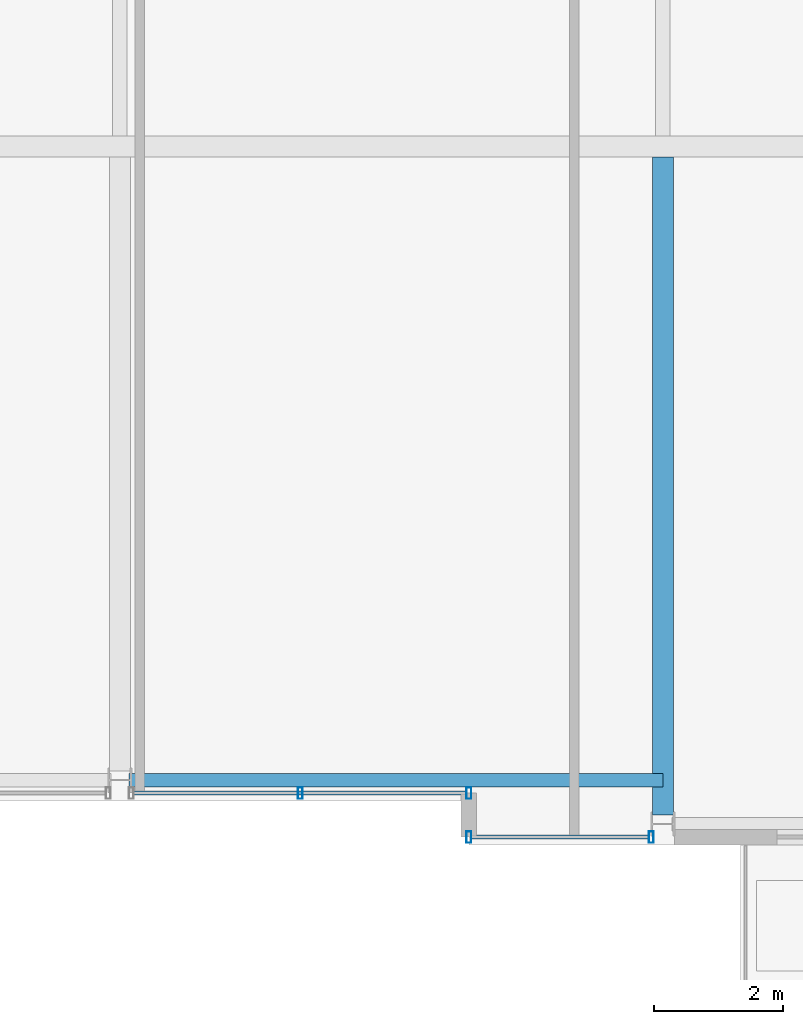
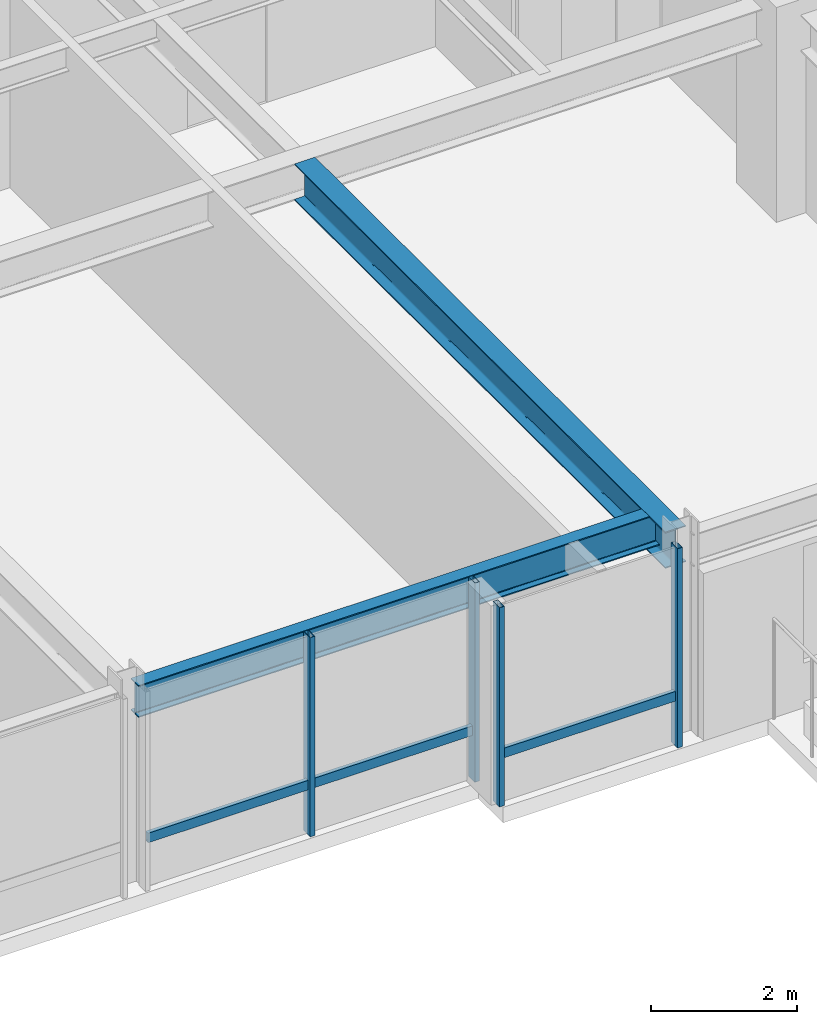
# One storey, part 8 of 31: 6 members, 2 beams, 2 elements without a shape of their own.
"""IFC4 building model written with IfcOpenShell, lengths in metres."""

from ifc_helpers import new_model, si_unit, direction, frame, origin, origin_2d, place, context, subcontext, project, spatial, hollow_rectangle, i_section, extrude, material, layer, layer_set, material_profile, profile_set, type_object, element, aggregate, save


model = new_model("IFC4")

# Units and contexts
model_context = context("Model", 3, precision=1e-05, world=origin(), true_north=direction((0.0, 1.0)))
body_context = subcontext(model_context, "Body", "Model", "MODEL_VIEW")
ifc_project = project(units=[si_unit("LENGTHUNIT", "METRE"), si_unit("AREAUNIT", "SQUARE_METRE"), si_unit("VOLUMEUNIT", "CUBIC_METRE"), si_unit("PLANEANGLEUNIT", "RADIAN"), si_unit("MASSUNIT", "GRAM", prefix="KILO")], contexts=[model_context])

# Site, building, storey
site_placement = place(None, origin())
site = spatial("IfcSite", under=ifc_project, at=site_placement, CompositionType="ELEMENT")
building_placement = place(site_placement, origin())
building = spatial("IfcBuilding", under=site, at=building_placement, Name="Drelvath Grand Hotel", CompositionType="ELEMENT")
storey_placement = place(building_placement, frame((0.0, 0.0, 244.699951171875)))
storey = spatial("IfcBuildingStorey", under=building, at=storey_placement, Name="L64", CompositionType="ELEMENT", Elevation=244.699951171875)

# Curtain wall, member
ifc_material_1 = material(Name="Platinum-Mist Anodised Aluminium Frame", Category="aluminium")
ifc_layer = layer(ifc_material_1, 0.199951171875)
ifc_layer_set = layer_set([ifc_layer], Name="Platinum-Mist Anodised Aluminium Frame")
curtain_wall_type = type_object("IfcCurtainWallType", Name="Stick Curtain Wall CW-05 Platinum Mist High-Rise", PredefinedType="NOTDEFINED", material=ifc_layer_set)
curtain_wall_1_placement = place(storey_placement, origin())
curtain_wall_1 = element("IfcCurtainWall", 1, at=curtain_wall_1_placement, inside=storey, type_object=curtain_wall_type, Name="L64 CW-05 Curtain Wall CW05-L64-SE1", PredefinedType="NOTDEFINED")
ifc_material_profile_1 = material_profile(ifc_material_1, hollow_rectangle(XDim=0.06494140625, YDim=0.159912109375, WallThickness=0.00390625, at=origin_2d()), Name="HSS160X65X4")
ifc_profile_set_1 = profile_set([ifc_material_profile_1], Name="Platinum-Mist Anodised Aluminium Frame")
member_type_1 = type_object("IfcMemberType", Name="Curtain Wall Horizontal Transom CW-05 HSS160X65X4", PredefinedType="USERDEFINED", material=ifc_profile_set_1)
member_1_placement = place(storey_placement, frame((8.181884765625, 0.1201171875, 0.8349609375), z_axis=(-1.0, 0.0, 0.0), x_axis=(0.0, -1.0, 0.0)))
member_1 = element("IfcMember", 2, at=member_1_placement, type_object=member_type_1, Name="CW05-L64-SE1 Sill Transom", ObjectType="TRANSOM", PredefinedType="USERDEFINED", context=body_context, shape_type="SweptSolid", body=[
    extrude(hollow_rectangle(XDim=0.06494140625, YDim=0.159912109375, WallThickness=0.00390625, at=origin_2d()), origin(), (0.0, 0.0, 1.0), 2.741943359375),
])

curtain_wall_2_placement = place(storey_placement, origin())
curtain_wall_2 = element("IfcCurtainWall", 3, at=curtain_wall_2_placement, inside=storey, type_object=curtain_wall_type, Name="L64 CW-05 Curtain Wall CW05-L64-SM2", PredefinedType="NOTDEFINED")
member_2_placement = place(storey_placement, frame((5.360107421875, 0.800048828125, 0.8349609375), z_axis=(-1.0, 0.0, 0.0), x_axis=(0.0, -1.0, 0.0)))
member_2 = element("IfcMember", 4, at=member_2_placement, type_object=member_type_1, Name="CW05-L64-SM2 Sill Transom", ObjectType="TRANSOM", PredefinedType="USERDEFINED", context=body_context, shape_type="SweptSolid", body=[
    extrude(hollow_rectangle(XDim=0.06494140625, YDim=0.159912109375, WallThickness=0.00390625, at=origin_2d()), origin(), (0.0, 0.0, 1.0), 5.141845703125),
])

# Member
ifc_material_profile_2 = material_profile(ifc_material_1, hollow_rectangle(XDim=0.074951171875, YDim=0.179931640625, WallThickness=0.0048828125, at=origin_2d()), Name="HSS180X75X5")
ifc_profile_set_2 = profile_set([ifc_material_profile_2], Name="Platinum-Mist Anodised Aluminium Frame")
member_type_2 = type_object("IfcMemberType", Name="Curtain Wall Vertical Mullion CW-05 HSS180X75X5", PredefinedType="MULLION", material=ifc_profile_set_2)
member_3_placement = place(storey_placement, frame((8.2216796875, 0.1201171875, 0.0), z_axis=(0.0, 0.0, 1.0), x_axis=(1.0, 0.0, 0.0)))
member_3 = element("IfcMember", 5, at=member_3_placement, type_object=member_type_2, Name="CW05-L64-SE1 Mullion 1", PredefinedType="MULLION", context=body_context, shape_type="SweptSolid", body=[
    extrude(hollow_rectangle(XDim=0.074951171875, YDim=0.179931640625, WallThickness=0.0048828125, at=origin_2d()), origin(), (0.0, 0.0, 1.0), 3.340087890625),
])

member_4_placement = place(storey_placement, frame((5.39990234375, 0.1201171875, 0.0), z_axis=(0.0, 0.0, 1.0), x_axis=(1.0, 0.0, 0.0)))
member_4 = element("IfcMember", 6, at=member_4_placement, type_object=member_type_2, Name="CW05-L64-SE1 Mullion 2", PredefinedType="MULLION", context=body_context, shape_type="SweptSolid", body=[
    extrude(hollow_rectangle(XDim=0.074951171875, YDim=0.179931640625, WallThickness=0.0048828125, at=origin_2d()), origin(), (0.0, 0.0, 1.0), 3.340087890625),
])

aggregate(curtain_wall_1, [member_3, member_4, member_1])

member_5_placement = place(storey_placement, frame((5.39990234375, 0.800048828125, 0.0), z_axis=(0.0, 0.0, 1.0), x_axis=(1.0, 0.0, 0.0)))
member_5 = element("IfcMember", 7, at=member_5_placement, type_object=member_type_2, Name="CW05-L64-SM2 Mullion 1", PredefinedType="MULLION", context=body_context, shape_type="SweptSolid", body=[
    extrude(hollow_rectangle(XDim=0.074951171875, YDim=0.179931640625, WallThickness=0.0048828125, at=origin_2d()), origin(), (0.0, 0.0, 1.0), 3.340087890625),
])

member_6_placement = place(storey_placement, frame((2.7890625, 0.800048828125, 0.0), z_axis=(0.0, 0.0, 1.0), x_axis=(1.0, 0.0, 0.0)))
member_6 = element("IfcMember", 8, at=member_6_placement, type_object=member_type_2, Name="CW05-L64-SM2 Mullion 2", PredefinedType="MULLION", context=body_context, shape_type="SweptSolid", body=[
    extrude(hollow_rectangle(XDim=0.074951171875, YDim=0.179931640625, WallThickness=0.0048828125, at=origin_2d()), origin(), (0.0, 0.0, 1.0), 3.340087890625),
])

aggregate(curtain_wall_2, [member_5, member_6, member_2])

# Beams
ifc_material_2 = material(Name="Steel ASTM A992 Gr 50", Category="steel")
ifc_material_profile_3 = material_profile(ifc_material_2, i_section(OverallWidth=0.210205078125, OverallDepth=0.53662109375, WebThickness=0.010986328125, FlangeThickness=0.017333984375, FilletRadius=0.01806640625, at=origin_2d()), Name="W21X68")
ifc_profile_set_3 = profile_set([ifc_material_profile_3], Name="Steel ASTM A992 Gr 50")
beam_type_1 = type_object("IfcBeamType", Name="Perimeter Spandrel Beam W21X68", PredefinedType="SPANDREL", material=ifc_profile_set_3)
beam_1_placement = place(storey_placement, frame((0.139892578125, 1.0, 3.071533203125), z_axis=(1.0, 0.0, 0.0), x_axis=(0.0, 1.0, 0.0)))
element("IfcBeam", 9, at=beam_1_placement, inside=storey, type_object=beam_type_1, Name="L64 Spandrel South Mid E", PredefinedType="SPANDREL", context=body_context, shape_type="SweptSolid", body=[
    extrude(i_section(OverallWidth=0.210205078125, OverallDepth=0.53662109375, WebThickness=0.010986328125, FlangeThickness=0.017333984375, FilletRadius=0.01806640625, at=origin_2d()), origin(), (0.0, 0.0, 1.0), 8.260009765625),
])
ifc_material_profile_4 = material_profile(ifc_material_2, i_section(OverallWidth=0.323974609375, OverallDepth=0.611083984375, WebThickness=0.0126953125, FlangeThickness=0.01904296875, FilletRadius=0.02197265625, at=origin_2d()), Name="W24X104")
ifc_profile_set_4 = profile_set([ifc_material_profile_4], Name="Steel ASTM A992 Gr 50")
beam_type_2 = type_object("IfcBeamType", Name="Primary Floor Girder W24X104", PredefinedType="BEAM", material=ifc_profile_set_4)
beam_2_placement = place(storey_placement, frame((8.39990234375, 0.4599609375, 3.034423828125), z_axis=(0.0, 1.0, 0.0), x_axis=(-1.0, 0.0, 0.0)))
element("IfcBeam", 10, at=beam_2_placement, inside=storey, type_object=beam_type_2, Name="L64 South Wing Girder 6", PredefinedType="BEAM", context=body_context, shape_type="SweptSolid", body=[
    extrude(i_section(OverallWidth=0.323974609375, OverallDepth=0.611083984375, WebThickness=0.0126953125, FlangeThickness=0.01904296875, FilletRadius=0.02197265625, at=origin_2d()), origin(), (0.0, 0.0, 1.0), 10.177978515625),
])

save(model, "model.ifc")
